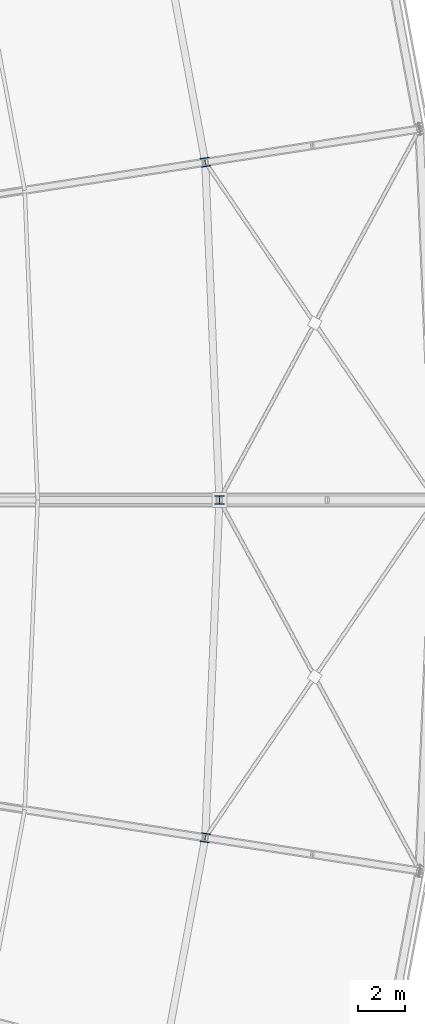
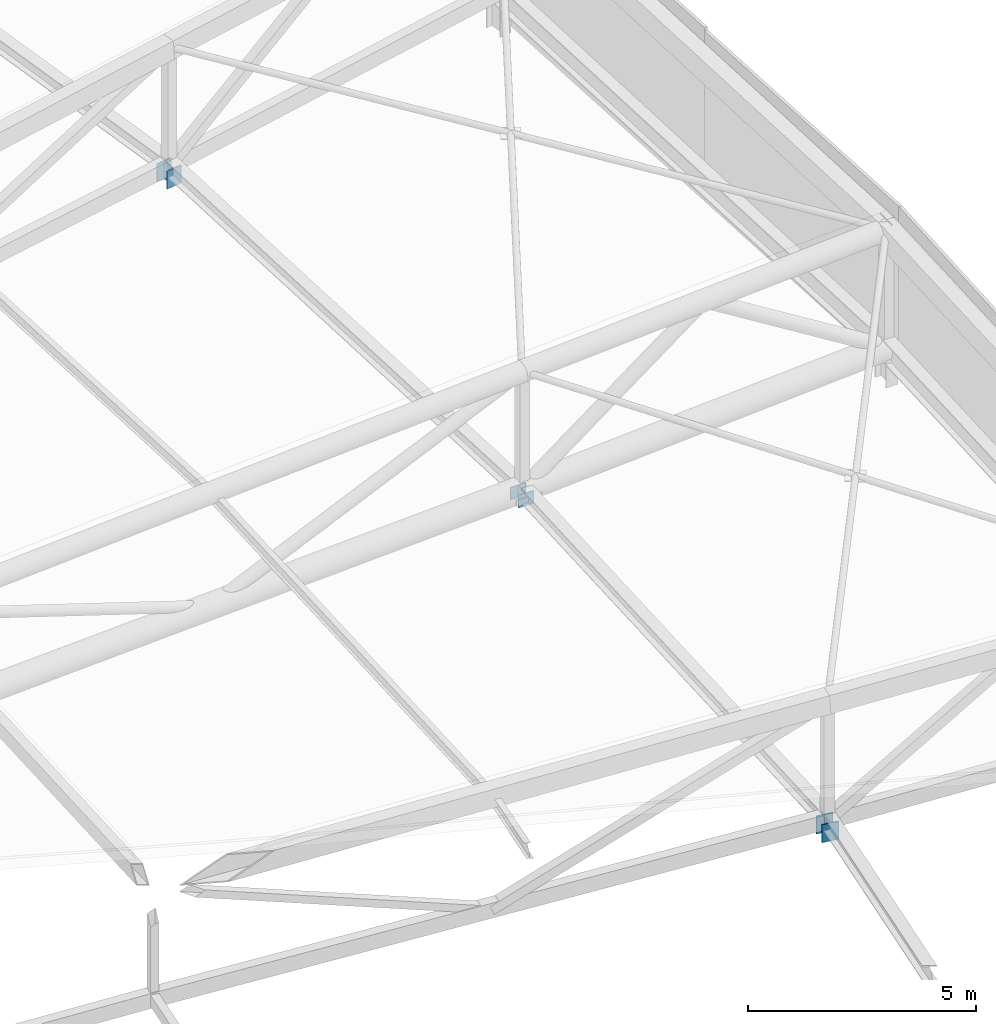
# One storey, part 15 of 143: 3 columns.
"""IFC4 building model written with IfcOpenShell, lengths in metres."""

from ifc_helpers import new_model, si_unit, direction, frame, origin, origin_2d, place, context, subcontext, project, spatial, i_section, extrude, material, material_profile, profile_set, type_object, element, save


model = new_model("IFC4")

# Units and contexts
model_context = context("Model", 3, precision=1e-05, world=origin(), true_north=direction((0.0, 1.0)))
body_context = subcontext(model_context, "Body", "Model", "MODEL_VIEW")
ifc_project = project(units=[si_unit("LENGTHUNIT", "METRE"), si_unit("AREAUNIT", "SQUARE_METRE"), si_unit("VOLUMEUNIT", "CUBIC_METRE"), si_unit("PLANEANGLEUNIT", "RADIAN"), si_unit("MASSUNIT", "GRAM", prefix="KILO")], contexts=[model_context])

# Site, building, storey
site_placement = place(None, origin())
site = spatial("IfcSite", under=ifc_project, at=site_placement, CompositionType="ELEMENT")
building_placement = place(site_placement, origin())
building = spatial("IfcBuilding", under=site, at=building_placement, Name="Mphavela Belvedere Stadium", CompositionType="ELEMENT")
storey_placement = place(building_placement, frame((0.0, 0.0, 28.800048828125)))
storey = spatial("IfcBuildingStorey", under=building, at=storey_placement, Name="RF", CompositionType="ELEMENT", Elevation=28.800048828125)

# Columns
ifc_material = material(Name="Steel S355", Category="steel")
ifc_material_profile = material_profile(ifc_material, i_section(OverallWidth=0.39501953125, OverallDepth=0.3798828125, WebThickness=0.0166015625, FlangeThickness=0.02587890625, at=origin_2d()), Name="HD 400x237")
ifc_profile_set = profile_set([ifc_material_profile], Name="Steel S355")
column_type = type_object("IfcColumnType", Name="COL-STEEL-HD400", PredefinedType="COLUMN", material=ifc_profile_set)
column_placement = place(storey_placement, frame((208.60498046875, 87.0, 0.0), z_axis=(0.0, 0.0, 1.0), x_axis=(1.0, 0.0, 0.0)))
element("IfcColumn", 1, at=column_placement, inside=storey, type_object=column_type, Name="Roof truss inner support column RF R3-01", PredefinedType="COLUMN", context=body_context, shape_type="SweptSolid", body=[
    extrude(i_section(OverallWidth=0.39501953125, OverallDepth=0.3798828125, WebThickness=0.0166015625, FlangeThickness=0.02587890625, at=origin_2d()), origin(), (0.0, 0.0, 1.0), 0.33154296875),
])
for number, where, z_axis, x_axis, name in (
    (2, (208.0, 101.4248046875, 0.0), (0.0, 0.0, 1.0), (0.98817491911, 0.153330783737, 0.0), "Roof truss inner support column RF R3-02"),
    (3, (208.0, 72.5751953125, 0.0), (0.0, 0.0, 1.0), (0.98817491911, -0.153330783737, 0.0), "Roof truss inner support column RF R3-48"),
):
    element("IfcColumn", number, at=place(storey_placement, frame(where, z_axis=z_axis, x_axis=x_axis)), inside=storey, type_object=column_type, Name=name, PredefinedType="COLUMN", context=body_context, shape_type="SweptSolid", body=[
        extrude(i_section(OverallWidth=0.39501953125, OverallDepth=0.3798828125, WebThickness=0.0166015625, FlangeThickness=0.02587890625, at=origin_2d()), origin(), (0.0, 0.0, 1.0), 0.48046875),
    ])

save(model, "model.ifc")
